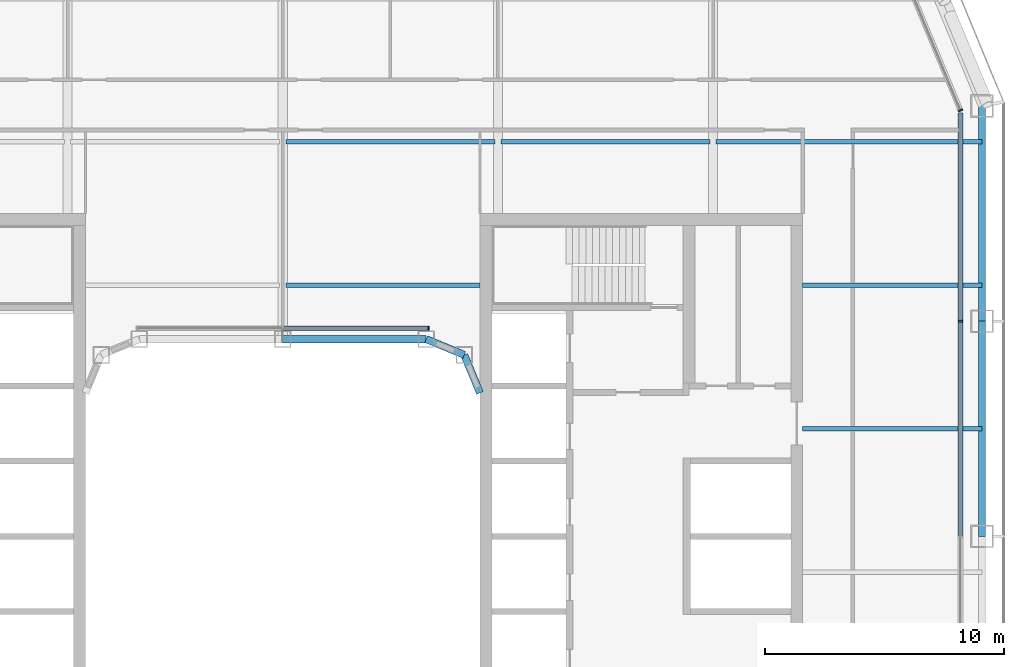
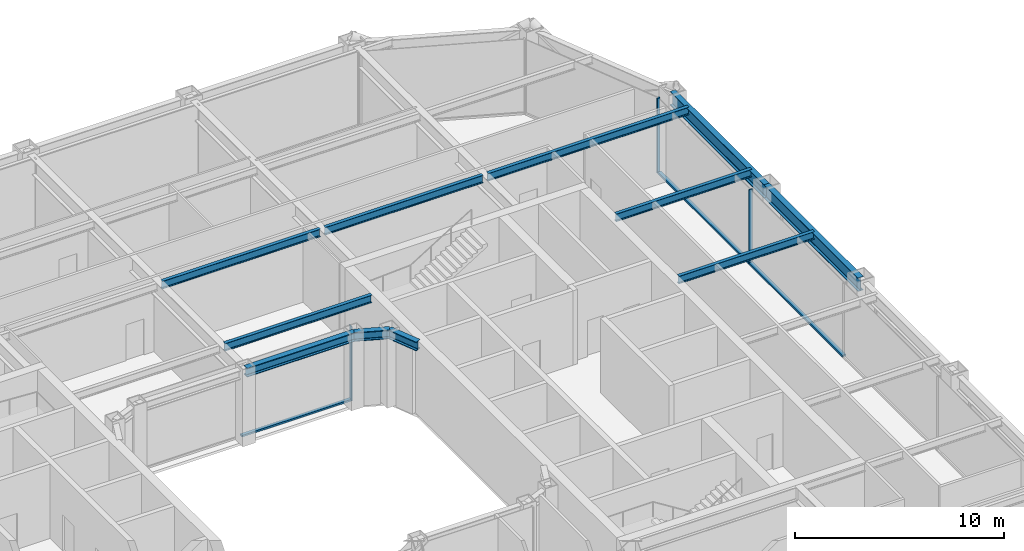
# One storey, part 8 of 21: 11 beams, 6 members, 3 elements without a shape of their own.
"""IFC4 building model written with IfcOpenShell, lengths in metres."""

from ifc_helpers import new_model, si_unit, direction, frame, origin, origin_2d, place, context, subcontext, project, spatial, rectangle, i_section, extrude, material, layer, layer_set, material_profile, profile_set, type_object, element, aggregate, save


model = new_model("IFC4")

# Units and contexts
model_context = context("Model", 3, precision=1e-05, world=origin(), true_north=direction((0.0, 1.0)))
body_context = subcontext(model_context, "Body", "Model", "MODEL_VIEW")
ifc_project = project(units=[si_unit("LENGTHUNIT", "METRE"), si_unit("AREAUNIT", "SQUARE_METRE"), si_unit("VOLUMEUNIT", "CUBIC_METRE"), si_unit("PLANEANGLEUNIT", "RADIAN"), si_unit("MASSUNIT", "GRAM", prefix="KILO")], contexts=[model_context])

# Site, building, storey
site_placement = place(None, origin())
site = spatial("IfcSite", under=ifc_project, at=site_placement, CompositionType="ELEMENT")
building_placement = place(site_placement, origin())
building = spatial("IfcBuilding", under=site, at=building_placement, Name="Siwar Civic Tower", CompositionType="ELEMENT")
storey_placement = place(building_placement, frame((0.0, 0.0, 104.699951171875)))
storey = spatial("IfcBuildingStorey", under=building, at=storey_placement, Name="L22", CompositionType="ELEMENT", Elevation=104.699951171875)

# Curtain wall, member
ifc_material_1 = material(Name="Aluminium and glass", Category="aluminium")
ifc_layer_1 = layer(ifc_material_1, 0.199951171875)
ifc_layer_set_1 = layer_set([ifc_layer_1], Name="Aluminium and glass")
curtain_wall_type_1 = type_object("IfcCurtainWallType", Name="ENV-CW-B", PredefinedType="NOTDEFINED", material=ifc_layer_set_1)
curtain_wall_1_placement = place(storey_placement, origin())
curtain_wall_1 = element("IfcCurtainWall", 1, at=curtain_wall_1_placement, inside=storey, type_object=curtain_wall_type_1, Name="Curtain wall B E", PredefinedType="NOTDEFINED")
ifc_material_2 = material(Name="Aluminium 6063-T6", Category="aluminium")
ifc_material_profile_1 = material_profile(ifc_material_2, rectangle(XDim=0.199951171875, YDim=0.06494140625, at=origin_2d()), Name="AL 200x65")
ifc_profile_set_1 = profile_set([ifc_material_profile_1], Name="Aluminium 6063-T6")
member_type_1 = type_object("IfcMemberType", Name="ENV-MULLION-B", PredefinedType="MULLION", material=ifc_profile_set_1)
member_1_placement = place(storey_placement, frame((28.35009765625, 9.0, 0.0), z_axis=(0.0, 0.0, 1.0), x_axis=(-1.0, 0.0, 0.0)))
member_1 = element("IfcMember", 2, at=member_1_placement, type_object=member_type_1, Name="Mullion B E 4", PredefinedType="MULLION", context=body_context, shape_type="SweptSolid", body=[
    extrude(rectangle(XDim=0.199951171875, YDim=0.06494140625, at=origin_2d()), origin(), (0.0, 0.0, 1.0), 4.35009765625),
])

ifc_material_3 = material(Name="Aluminium clad insulated panel", Category="aluminium")
ifc_layer_2 = layer(ifc_material_3, 0.199951171875)
ifc_layer_set_2 = layer_set([ifc_layer_2], Name="Aluminium clad insulated panel")
curtain_wall_type_2 = type_object("IfcCurtainWallType", Name="ENV-CW-BX", PredefinedType="NOTDEFINED", material=ifc_layer_set_2)
curtain_wall_2_placement = place(storey_placement, origin())
curtain_wall_2 = element("IfcCurtainWall", 3, at=curtain_wall_2_placement, inside=storey, type_object=curtain_wall_type_2, Name="Curtain wall B NE1", PredefinedType="NOTDEFINED")
member_2_placement = place(storey_placement, frame((28.35009765625, 17.821044921875, 0.0), z_axis=(0.0, 0.0, 1.0), x_axis=(-0.923879532511, -0.382683432365, 0.0)))
member_2 = element("IfcMember", 4, at=member_2_placement, type_object=member_type_1, Name="Mullion B NE1 1", PredefinedType="MULLION", context=body_context, shape_type="SweptSolid", body=[
    extrude(rectangle(XDim=0.199951171875, YDim=0.06494140625, at=origin_2d()), origin(), (0.0, 0.0, 1.0), 4.35009765625),
])
aggregate(curtain_wall_2, [member_2])

ifc_material_4 = material(Name="Aluminium and glass", Category="aluminium")
ifc_layer_3 = layer(ifc_material_4, 0.179931640625)
ifc_layer_set_3 = layer_set([ifc_layer_3], Name="Aluminium and glass")
curtain_wall_type_3 = type_object("IfcCurtainWallType", Name="ENV-CW-W", PredefinedType="NOTDEFINED", material=ifc_layer_set_3)
curtain_wall_3_placement = place(storey_placement, origin())
curtain_wall_3 = element("IfcCurtainWall", 5, at=curtain_wall_3_placement, inside=storey, type_object=curtain_wall_type_3, Name="Curtain wall W WN", PredefinedType="NOTDEFINED")
ifc_material_5 = material(Name="Aluminium 6063-T6", Category="aluminium")
ifc_material_profile_2 = material_profile(ifc_material_5, rectangle(XDim=0.179931640625, YDim=0.06005859375, at=origin_2d()), Name="AL 180x60")
ifc_profile_set_2 = profile_set([ifc_material_profile_2], Name="Aluminium 6063-T6")
member_type_2 = type_object("IfcMemberType", Name="ENV-MULLION-W", PredefinedType="MULLION", material=ifc_profile_set_2)
member_3_placement = place(storey_placement, frame((6.091552734375, 8.7099609375, 0.0), z_axis=(0.0, 0.0, 1.0), x_axis=(0.0, -1.0, 0.0)))
member_3 = element("IfcMember", 6, at=member_3_placement, type_object=member_type_2, Name="Mullion W WN 1", PredefinedType="MULLION", context=body_context, shape_type="SweptSolid", body=[
    extrude(rectangle(XDim=0.179931640625, YDim=0.06005859375, at=origin_2d()), origin(), (0.0, 0.0, 1.0), 4.35009765625),
])

# Member
ifc_material_6 = material(Name="Aluminium 6063-T6", Category="aluminium")
ifc_material_profile_3 = material_profile(ifc_material_6, rectangle(XDim=0.199951171875, YDim=0.110107421875, at=origin_2d()), Name="AL 200x110")
ifc_profile_set_3 = profile_set([ifc_material_profile_3], Name="Aluminium 6063-T6")
member_type_3 = type_object("IfcMemberType", Name="ENV-TRANSOM-B", PredefinedType="USERDEFINED", material=ifc_profile_set_3)
member_4_placement = place(storey_placement, frame((28.35009765625, 0.032470703125, 0.054931640625), z_axis=(0.0, 1.0, 0.0), x_axis=(-1.0, 0.0, 0.0)))
member_4 = element("IfcMember", 7, at=member_4_placement, type_object=member_type_3, Name="Transom B E 3", ObjectType="TRANSOM", PredefinedType="USERDEFINED", context=body_context, shape_type="SweptSolid", body=[
    extrude(rectangle(XDim=0.199951171875, YDim=0.110107421875, at=origin_2d()), origin(), (0.0, 0.0, 1.0), 8.93505859375),
])

member_5_placement = place(storey_placement, frame((28.35009765625, 9.032470703125, 0.054931640625), z_axis=(0.0, 1.0, 0.0), x_axis=(-1.0, 0.0, 0.0)))
member_5 = element("IfcMember", 8, at=member_5_placement, type_object=member_type_3, Name="Transom B E 4", ObjectType="TRANSOM", PredefinedType="USERDEFINED", context=body_context, shape_type="SweptSolid", body=[
    extrude(rectangle(XDim=0.199951171875, YDim=0.110107421875, at=origin_2d()), origin(), (0.0, 0.0, 1.0), 8.6748046875),
])

aggregate(curtain_wall_1, [member_1, member_4, member_5])

ifc_material_7 = material(Name="Aluminium 6063-T6", Category="aluminium")
ifc_material_profile_4 = material_profile(ifc_material_7, rectangle(XDim=0.179931640625, YDim=0.10009765625, at=origin_2d()), Name="AL 180x100")
ifc_profile_set_4 = profile_set([ifc_material_profile_4], Name="Aluminium 6063-T6")
member_type_4 = type_object("IfcMemberType", Name="ENV-TRANSOM-W", PredefinedType="USERDEFINED", material=ifc_profile_set_4)
member_6_placement = place(storey_placement, frame((6.0615234375, 8.7099609375, 0.050048828125), z_axis=(-1.0, 0.0, 0.0), x_axis=(0.0, -1.0, 0.0)))
member_6 = element("IfcMember", 9, at=member_6_placement, type_object=member_type_4, Name="Transom W WN 1", ObjectType="TRANSOM", PredefinedType="USERDEFINED", context=body_context, shape_type="SweptSolid", body=[
    extrude(rectangle(XDim=0.179931640625, YDim=0.10009765625, at=origin_2d()), origin(), (0.0, 0.0, 1.0), 6.031494140625),
])

aggregate(curtain_wall_3, [member_3, member_6])

# Beams
ifc_material_8 = material(Name="Steel S355", Category="steel")
ifc_material_profile_5 = material_profile(ifc_material_8, i_section(OverallWidth=0.18994140625, OverallDepth=0.449951171875, WebThickness=0.009521484375, FlangeThickness=0.0146484375, FilletRadius=0.02099609375, at=origin_2d()), Name="IPE450")
ifc_profile_set_5 = profile_set([ifc_material_profile_5], Name="Steel S355")
beam_type_1 = type_object("IfcBeamType", Name="STR-FB-IPE450", PredefinedType="JOIST", material=ifc_profile_set_5)
beam_1_placement = place(storey_placement, frame((21.75, 4.5, 4.125), z_axis=(1.0, 0.0, 0.0), x_axis=(0.0, 1.0, 0.0)))
element("IfcBeam", 10, at=beam_1_placement, inside=storey, type_object=beam_type_1, Name="L22/bm/F026", PredefinedType="JOIST", context=body_context, shape_type="SweptSolid", body=[
    extrude(i_section(OverallWidth=0.18994140625, OverallDepth=0.449951171875, WebThickness=0.009521484375, FlangeThickness=0.0146484375, FilletRadius=0.02099609375, at=origin_2d()), origin(), (0.0, 0.0, 1.0), 7.5),
])
beam_2_placement = place(storey_placement, frame((0.1298828125, 10.5, 4.125), z_axis=(1.0, 0.0, 0.0), x_axis=(0.0, 1.0, 0.0)))
element("IfcBeam", 11, at=beam_2_placement, inside=storey, type_object=beam_type_1, Name="L22/bm/F029", PredefinedType="JOIST", context=body_context, shape_type="SweptSolid", body=[
    extrude(i_section(OverallWidth=0.18994140625, OverallDepth=0.449951171875, WebThickness=0.009521484375, FlangeThickness=0.0146484375, FilletRadius=0.02099609375, at=origin_2d()), origin(), (0.0, 0.0, 1.0), 8.1201171875),
])
beam_3_placement = place(storey_placement, frame((21.75, 10.5, 4.125), z_axis=(1.0, 0.0, 0.0), x_axis=(0.0, 1.0, 0.0)))
element("IfcBeam", 12, at=beam_3_placement, inside=storey, type_object=beam_type_1, Name="L22/bm/F030", PredefinedType="JOIST", context=body_context, shape_type="SweptSolid", body=[
    extrude(i_section(OverallWidth=0.18994140625, OverallDepth=0.449951171875, WebThickness=0.009521484375, FlangeThickness=0.0146484375, FilletRadius=0.02099609375, at=origin_2d()), origin(), (0.0, 0.0, 1.0), 7.5),
])
for number, where, z_axis, x_axis, name in (
    (13, (0.1298828125, 16.5, 4.125), (1.0, 0.0, 0.0), (0.0, 1.0, 0.0), "L22/bm/F034"),
    (14, (9.1298828125, 16.5, 4.125), (1.0, 0.0, 0.0), (0.0, 1.0, 0.0), "L22/bm/F035"),
):
    element("IfcBeam", number, at=place(storey_placement, frame(where, z_axis=z_axis, x_axis=x_axis)), inside=storey, type_object=beam_type_1, Name=name, PredefinedType="JOIST", context=body_context, shape_type="SweptSolid", body=[
        extrude(i_section(OverallWidth=0.18994140625, OverallDepth=0.449951171875, WebThickness=0.009521484375, FlangeThickness=0.0146484375, FilletRadius=0.02099609375, at=origin_2d()), origin(), (0.0, 0.0, 1.0), 8.740234375),
    ])
beam_4_placement = place(storey_placement, frame((18.1298828125, 16.5, 4.125), z_axis=(1.0, 0.0, 0.0), x_axis=(0.0, 1.0, 0.0)))
element("IfcBeam", 15, at=beam_4_placement, inside=storey, type_object=beam_type_1, Name="L22/bm/F036", PredefinedType="JOIST", context=body_context, shape_type="SweptSolid", body=[
    extrude(i_section(OverallWidth=0.18994140625, OverallDepth=0.449951171875, WebThickness=0.009521484375, FlangeThickness=0.0146484375, FilletRadius=0.02099609375, at=origin_2d()), origin(), (0.0, 0.0, 1.0), 11.1201171875),
])
ifc_material_9 = material(Name="Steel S355", Category="steel")
ifc_material_profile_6 = material_profile(ifc_material_9, i_section(OverallWidth=0.305908203125, OverallDepth=0.52392578125, WebThickness=0.02099609375, FlangeThickness=0.0400390625, FilletRadius=0.027099609375, at=origin_2d()), Name="HEM500")
ifc_profile_set_6 = profile_set([ifc_material_profile_6], Name="Steel S355")
beam_type_2 = type_object("IfcBeamType", Name="STR-RB-HEM500", PredefinedType="BEAM", material=ifc_profile_set_6)
beam_5_placement = place(storey_placement, frame((0.0, 8.25, 4.088134765625), z_axis=(1.0, 0.0, 0.0), x_axis=(0.0, 1.0, 0.0)))
element("IfcBeam", 16, at=beam_5_placement, inside=storey, type_object=beam_type_2, Name="L22/bm/RN2", PredefinedType="BEAM", context=body_context, shape_type="SweptSolid", body=[
    extrude(i_section(OverallWidth=0.305908203125, OverallDepth=0.52392578125, WebThickness=0.02099609375, FlangeThickness=0.0400390625, FilletRadius=0.027099609375, at=origin_2d()), origin(), (0.0, 0.0, 1.0), 6.0),
])
for number, where, z_axis, x_axis, name in (
    (17, (6.0, 8.25, 4.088134765625), (0.923901072997, -0.382631424892, 0.0), (0.382631424892, 0.923901072997, 0.0), "L22/bm/RN3"),
    (18, (7.591064453125, 7.591064453125, 4.088134765625), (0.382631424892, -0.923901072997, 0.0), (0.923901072997, 0.382631424892, 0.0), "L22/bm/RNEE"),
):
    element("IfcBeam", number, at=place(storey_placement, frame(where, z_axis=z_axis, x_axis=x_axis)), inside=storey, type_object=beam_type_2, Name=name, PredefinedType="BEAM", context=body_context, shape_type="SweptSolid", body=[
        extrude(i_section(OverallWidth=0.305908203125, OverallDepth=0.52392578125, WebThickness=0.02099609375, FlangeThickness=0.0400390625, FilletRadius=0.027099609375, at=origin_2d()), origin(), (0.0, 0.0, 1.0), 1.72216796875),
    ])
ifc_material_10 = material(Name="Steel S355", Category="steel")
ifc_material_profile_7 = material_profile(ifc_material_10, i_section(OverallWidth=0.300048828125, OverallDepth=0.800048828125, WebThickness=0.017578125, FlangeThickness=0.032958984375, FilletRadius=0.030029296875, at=origin_2d()), Name="HEB800")
ifc_profile_set_7 = profile_set([ifc_material_profile_7], Name="Steel S355")
beam_type_3 = type_object("IfcBeamType", Name="STR-SB-HEB800", PredefinedType="BEAM", material=ifc_profile_set_7)
for number, where, z_axis, x_axis, name in (
    (19, (29.25, 0.0, 3.949951171875), (0.0, 1.0, 0.0), (-1.0, 0.0, 0.0), "L22/bm/SE-2"),
    (20, (29.25, 9.0, 3.949951171875), (0.0, 1.0, 0.0), (-1.0, 0.0, 0.0), "L22/bm/SE-3"),
):
    element("IfcBeam", number, at=place(storey_placement, frame(where, z_axis=z_axis, x_axis=x_axis)), inside=storey, type_object=beam_type_3, Name=name, PredefinedType="BEAM", context=body_context, shape_type="SweptSolid", body=[
        extrude(i_section(OverallWidth=0.300048828125, OverallDepth=0.800048828125, WebThickness=0.017578125, FlangeThickness=0.032958984375, FilletRadius=0.030029296875, at=origin_2d()), origin(), (0.0, 0.0, 1.0), 9.0),
    ])

save(model, "model.ifc")
